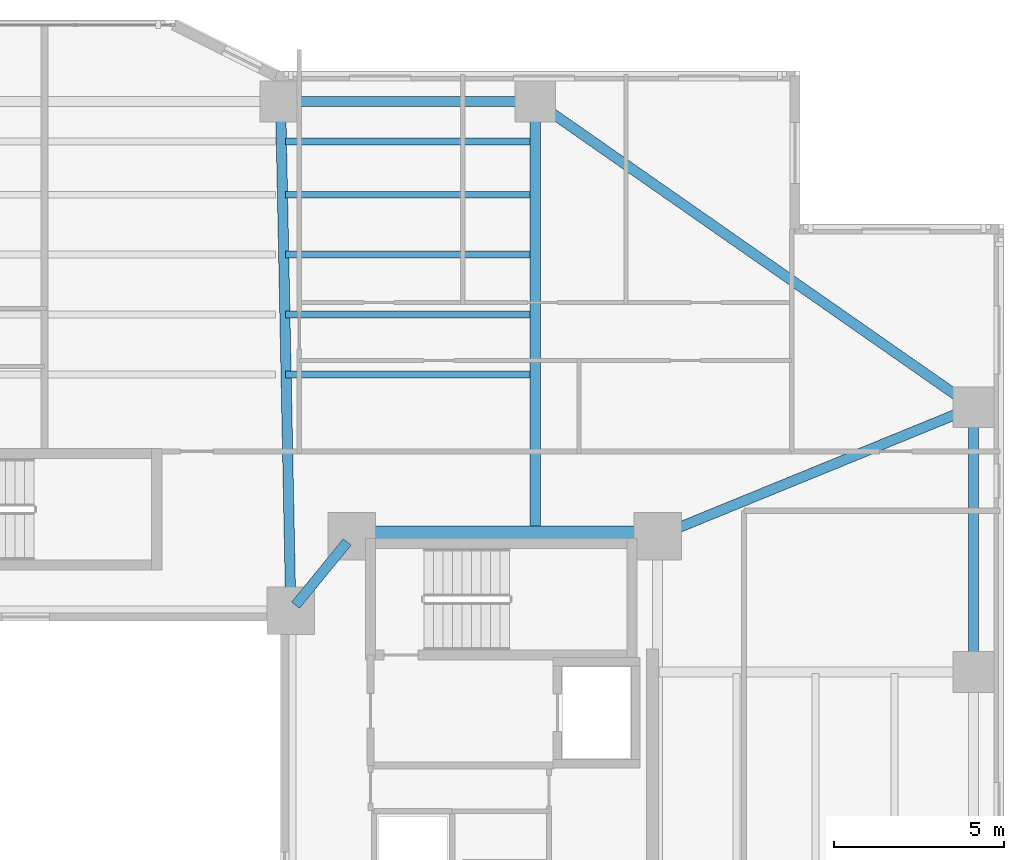
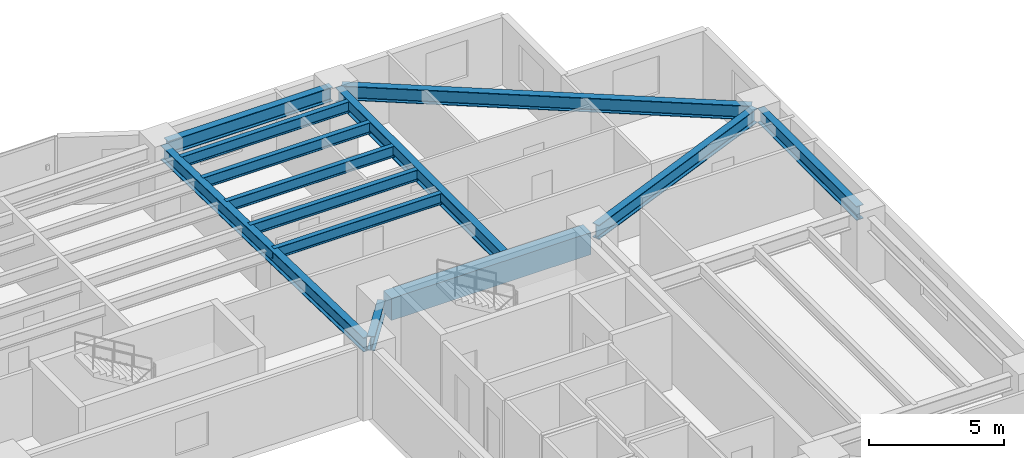
# One storey, part 7 of 20: 13 beams.
"""IFC4 building model written with IfcOpenShell, lengths in metres."""

from ifc_helpers import new_model, si_unit, direction, frame, origin, origin_2d, place, context, subcontext, project, spatial, rectangle, i_section, extrude, material, material_profile, profile_set, type_object, element, save


model = new_model("IFC4")

# Units and contexts
model_context = context("Model", 3, precision=1e-05, world=origin(), true_north=direction((0.0, 1.0)))
body_context = subcontext(model_context, "Body", "Model", "MODEL_VIEW")
ifc_project = project(units=[si_unit("LENGTHUNIT", "METRE"), si_unit("AREAUNIT", "SQUARE_METRE"), si_unit("VOLUMEUNIT", "CUBIC_METRE"), si_unit("PLANEANGLEUNIT", "RADIAN"), si_unit("MASSUNIT", "GRAM", prefix="KILO")], contexts=[model_context])

# Site, building, storey
site_placement = place(None, origin())
site = spatial("IfcSite", under=ifc_project, at=site_placement, CompositionType="ELEMENT")
building_placement = place(site_placement, origin())
building = spatial("IfcBuilding", under=site, at=building_placement, Name="Tarnavaz Court Tower", CompositionType="ELEMENT")
storey_placement = place(building_placement, frame((0.0, 0.0, 60.85009765625)))
storey = spatial("IfcBuildingStorey", under=building, at=storey_placement, Name="L16", CompositionType="ELEMENT", Elevation=60.85009765625)

# Beams
ifc_material_1 = material(Name="Concrete C60/75", Category="concrete")
ifc_material_profile_1 = material_profile(ifc_material_1, rectangle(XDim=0.60009765625, YDim=1.0, at=origin_2d()), Name="RC 600X1000")
ifc_profile_set_1 = profile_set([ifc_material_profile_1], Name="Concrete C60/75")
beam_type_1 = type_object("IfcBeamType", Name="BM-CB1000", PredefinedType="LINTEL", material=ifc_profile_set_1)
beam_1_placement = place(storey_placement, frame((18.3798828125, 10.0, 2.5498046875), z_axis=(-1.0, 0.0, 0.0), x_axis=(0.0, -1.0, 0.0)))
element("IfcBeam", 1, at=beam_1_placement, inside=storey, type_object=beam_type_1, Name="L16 Beam IN-CE-NO-CE-NI", PredefinedType="LINTEL", context=body_context, shape_type="SweptSolid", body=[
    extrude(rectangle(XDim=0.60009765625, YDim=1.0, at=origin_2d()), origin(), (0.0, 0.0, 1.0), 8.559814453125),
])
ifc_material_2 = material(Name="Steel S355", Category="steel")
ifc_material_profile_2 = material_profile(ifc_material_2, i_section(OverallWidth=0.300048828125, OverallDepth=0.64990234375, WebThickness=0.01611328125, FlangeThickness=0.031005859375, FilletRadius=0.027099609375, at=origin_2d()), Name="HEB 650")
ifc_profile_set_2 = profile_set([ifc_material_profile_2], Name="Steel S355")
beam_type_2 = type_object("IfcBeamType", Name="BM-G-HEB650", PredefinedType="USERDEFINED", material=ifc_profile_set_2)
beam_2_placement = place(storey_placement, frame((9.460693359375, 9.82958984375, 2.724853515625), z_axis=(-0.633282058357, -0.773921077735, 0.0), x_axis=(0.773921077735, -0.633282058357, 0.0)))
element("IfcBeam", 2, at=beam_2_placement, inside=storey, type_object=beam_type_2, Name="L16 Beam IN-CE-NI-IW-NE", ObjectType="GIRDER", PredefinedType="USERDEFINED", context=body_context, shape_type="SweptSolid", body=[
    extrude(i_section(OverallWidth=0.300048828125, OverallDepth=0.64990234375, WebThickness=0.01611328125, FlangeThickness=0.031005859375, FilletRadius=0.027099609375, at=origin_2d()), origin(), (0.0, 0.0, 1.0), 2.402587890625),
])
beam_3_placement = place(storey_placement, frame((7.795654296875, 8.02001953125, 2.724853515625), z_axis=(-0.020000023066, 0.999799979535, 0.0), x_axis=(-0.999799979535, -0.020000023066, 0.0)))
element("IfcBeam", 3, at=beam_3_placement, inside=storey, type_object=beam_type_2, Name="L16 Beam RG-03", ObjectType="GIRDER", PredefinedType="USERDEFINED", context=body_context, shape_type="SweptSolid", body=[
    extrude(i_section(OverallWidth=0.300048828125, OverallDepth=0.64990234375, WebThickness=0.01611328125, FlangeThickness=0.031005859375, FilletRadius=0.027099609375, at=origin_2d()), origin(), (0.0, 0.0, 1.0), 14.56298828125),
])
beam_4_placement = place(storey_placement, frame((15.0, 10.0400390625, 2.724853515625), z_axis=(0.0, 1.0, 0.0), x_axis=(-1.0, 0.0, 0.0)))
element("IfcBeam", 4, at=beam_4_placement, inside=storey, type_object=beam_type_2, Name="L16 Beam RG-04", ObjectType="GIRDER", PredefinedType="USERDEFINED", context=body_context, shape_type="SweptSolid", body=[
    extrude(i_section(OverallWidth=0.300048828125, OverallDepth=0.64990234375, WebThickness=0.01611328125, FlangeThickness=0.031005859375, FilletRadius=0.027099609375, at=origin_2d()), origin(), (0.0, 0.0, 1.0), 12.5400390625),
])
beam_5_placement = place(storey_placement, frame((18.8037109375, 10.083251953125, 2.724853515625), z_axis=(0.925704761705, 0.378246869329, 0.0), x_axis=(-0.378246869329, 0.925704761705, 0.0)))
element("IfcBeam", 5, at=beam_5_placement, inside=storey, type_object=beam_type_2, Name="L16 Beam RG-12", ObjectType="GIRDER", PredefinedType="USERDEFINED", context=body_context, shape_type="SweptSolid", body=[
    extrude(i_section(OverallWidth=0.300048828125, OverallDepth=0.64990234375, WebThickness=0.01611328125, FlangeThickness=0.031005859375, FilletRadius=0.027099609375, at=origin_2d()), origin(), (0.0, 0.0, 1.0), 9.606201171875),
])
ifc_material_profile_3 = material_profile(ifc_material_2, i_section(OverallWidth=0.199951171875, OverallDepth=0.5, WebThickness=0.01025390625, FlangeThickness=0.01611328125, FilletRadius=0.02099609375, at=origin_2d()), Name="IPE 500")
ifc_profile_set_3 = profile_set([ifc_material_profile_3], Name="Steel S355")
beam_type_3 = type_object("IfcBeamType", Name="BM-J-IPE500", PredefinedType="JOIST", material=ifc_profile_set_3)
for number, where, z_axis, x_axis, name in (
    (6, (7.64990234375, 14.763916015625, 2.7998046875), (1.0, 0.0, 0.0), (0.0, 1.0, 0.0), "L16 Beam JN1-3"),
    (7, (7.64990234375, 16.528076171875, 2.7998046875), (1.0, 0.0, 0.0), (0.0, 1.0, 0.0), "L16 Beam JN2-3"),
    (8, (7.64990234375, 18.2919921875, 2.7998046875), (1.0, 0.0, 0.0), (0.0, 1.0, 0.0), "L16 Beam JN3-3"),
    (9, (7.64990234375, 20.055908203125, 2.7998046875), (1.0, 0.0, 0.0), (0.0, 1.0, 0.0), "L16 Beam JN4-3"),
    (10, (7.64990234375, 21.6240234375, 2.7998046875), (1.0, 0.0, 0.0), (0.0, 1.0, 0.0), "L16 Beam JN5-3"),
):
    element("IfcBeam", number, at=place(storey_placement, frame(where, z_axis=z_axis, x_axis=x_axis)), inside=storey, type_object=beam_type_3, Name=name, PredefinedType="JOIST", context=body_context, shape_type="SweptSolid", body=[
        extrude(i_section(OverallWidth=0.199951171875, OverallDepth=0.5, WebThickness=0.01025390625, FlangeThickness=0.01611328125, FilletRadius=0.02099609375, at=origin_2d()), origin(), (0.0, 0.0, 1.0), 7.2001953125),
    ])
ifc_material_profile_4 = material_profile(ifc_material_2, i_section(OverallWidth=0.300048828125, OverallDepth=0.639892578125, WebThickness=0.013427734375, FlangeThickness=0.02587890625, FilletRadius=0.027099609375, at=origin_2d()), Name="HEA 650")
ifc_profile_set_4 = profile_set([ifc_material_profile_4], Name="Steel S355")
beam_type_4 = type_object("IfcBeamType", Name="BM-SP-HEA650", PredefinedType="SPANDREL", material=ifc_profile_set_4)
beam_6_placement = place(storey_placement, frame((7.719970703125, 22.800048828125, 2.72998046875), z_axis=(1.0, 0.0, 0.0), x_axis=(0.0, 1.0, 0.0)))
element("IfcBeam", 11, at=beam_6_placement, inside=storey, type_object=beam_type_4, Name="L16 Beam PR-PN-3-PN-4", PredefinedType="SPANDREL", context=body_context, shape_type="SweptSolid", body=[
    extrude(i_section(OverallWidth=0.300048828125, OverallDepth=0.639892578125, WebThickness=0.013427734375, FlangeThickness=0.02587890625, FilletRadius=0.027099609375, at=origin_2d()), origin(), (0.0, 0.0, 1.0), 7.06005859375),
])
beam_7_placement = place(storey_placement, frame((27.89990234375, 6.219970703125, 2.72998046875), z_axis=(0.0, 1.0, 0.0), x_axis=(-1.0, 0.0, 0.0)))
element("IfcBeam", 12, at=beam_7_placement, inside=storey, type_object=beam_type_4, Name="L16 Beam PR-PE-3-PE-4", PredefinedType="SPANDREL", context=body_context, shape_type="SweptSolid", body=[
    extrude(i_section(OverallWidth=0.300048828125, OverallDepth=0.639892578125, WebThickness=0.013427734375, FlangeThickness=0.02587890625, FilletRadius=0.027099609375, at=origin_2d()), origin(), (0.0, 0.0, 1.0), 7.360107421875),
])
beam_8_placement = place(storey_placement, frame((15.180419921875, 22.674072265625, 2.72998046875), z_axis=(0.820123643324, -0.572186341729, 0.0), x_axis=(0.572186341729, 0.820123643324, 0.0)))
element("IfcBeam", 13, at=beam_8_placement, inside=storey, type_object=beam_type_4, Name="L16 Beam PR-PN-4-PE-4", PredefinedType="SPANDREL", context=body_context, shape_type="SweptSolid", body=[
    extrude(i_section(OverallWidth=0.300048828125, OverallDepth=0.639892578125, WebThickness=0.013427734375, FlangeThickness=0.02587890625, FilletRadius=0.027099609375, at=origin_2d()), origin(), (0.0, 0.0, 1.0), 15.289306640625),
])

save(model, "model.ifc")
